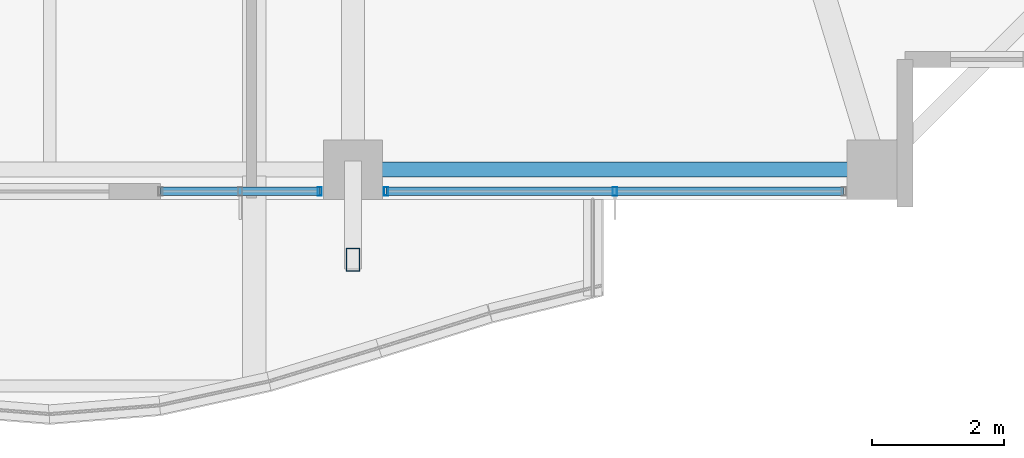
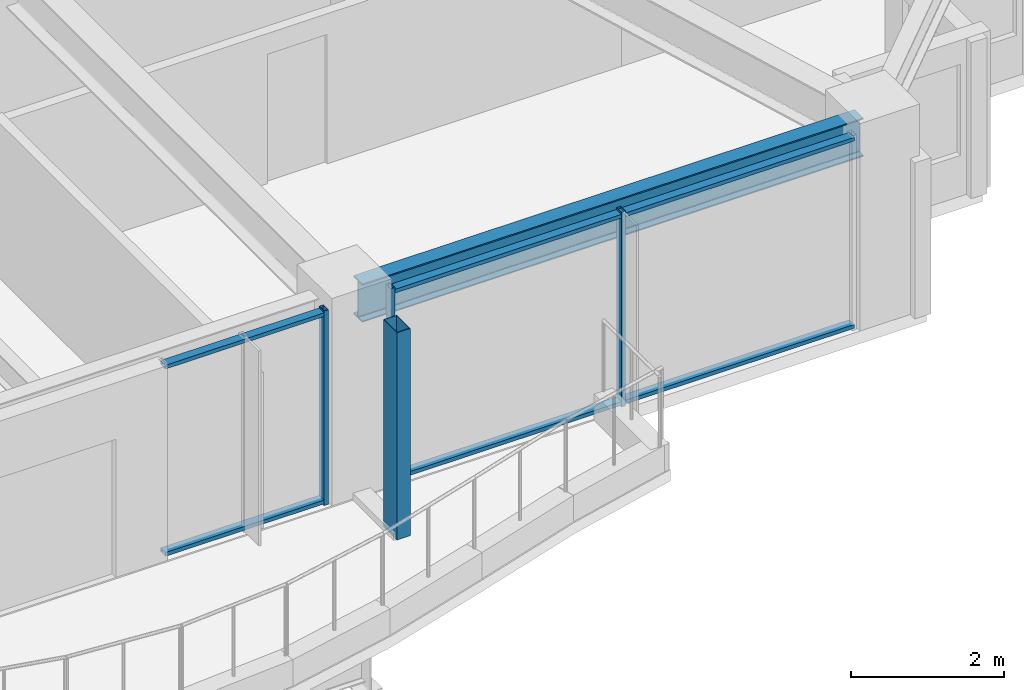
# One storey, part 6 of 34: 8 members, 1 beam, 2 elements without a shape of their own.
"""IFC4 building model written with IfcOpenShell, lengths in metres."""

from ifc_helpers import new_model, si_unit, direction, frame, origin, origin_2d, place, context, subcontext, project, spatial, hollow_rectangle, i_section, extrude, material, material_profile, profile_set, type_object, element, aggregate, save


model = new_model("IFC4")

# Units and contexts
model_context = context("Model", 3, precision=1e-05, world=origin(), true_north=direction((0.0, 1.0)))
body_context = subcontext(model_context, "Body", "Model", "MODEL_VIEW")
ifc_project = project(units=[si_unit("LENGTHUNIT", "METRE"), si_unit("AREAUNIT", "SQUARE_METRE"), si_unit("VOLUMEUNIT", "CUBIC_METRE"), si_unit("PLANEANGLEUNIT", "RADIAN"), si_unit("MASSUNIT", "GRAM", prefix="KILO")], contexts=[model_context])

# Site, building, storey
site_placement = place(None, origin())
site = spatial("IfcSite", under=ifc_project, at=site_placement, CompositionType="ELEMENT")
building_placement = place(site_placement, origin())
building = spatial("IfcBuilding", under=site, at=building_placement, Name="Kolvaren Belvedere", CompositionType="ELEMENT")
storey_placement = place(building_placement, frame((0.0, 0.0, 166.800048828125)))
storey = spatial("IfcBuildingStorey", under=building, at=storey_placement, Name="L48", CompositionType="ELEMENT", Elevation=166.800048828125)

# Beam
ifc_material_1 = material(Name="Structural steel ASTM A992 Grade 50", Category="steel")
ifc_material_profile_1 = material_profile(ifc_material_1, i_section(OverallWidth=0.22900390625, OverallDepth=0.612060546875, WebThickness=0.011962890625, FlangeThickness=0.01953125, FilletRadius=0.01806640625, at=origin_2d()), Name="W24X84")
ifc_profile_set_1 = profile_set([ifc_material_profile_1], Name="Structural steel ASTM A992 Grade 50")
beam_type = type_object("IfcBeamType", Name="BM-SPAN-W24X84", PredefinedType="SPANDREL", material=ifc_profile_set_1)
beam_placement = place(storey_placement, frame((4.802490234375, -18.64990234375, 2.7939453125), z_axis=(1.0, 0.0, 0.0), x_axis=(0.0, 1.0, 0.0)))
element("IfcBeam", 1, at=beam_placement, inside=storey, type_object=beam_type, Name="L48 Perimeter Spandrel S3-S4", PredefinedType="SPANDREL", context=body_context, shape_type="SweptSolid", body=[
    extrude(i_section(OverallWidth=0.22900390625, OverallDepth=0.612060546875, WebThickness=0.011962890625, FlangeThickness=0.01953125, FilletRadius=0.01806640625, at=origin_2d()), origin(), (0.0, 0.0, 1.0), 7.544921875),
])

# Curtain wall, members
ifc_material_2 = material(Name="Anodised pale-metal aluminium AA 6063-T6", Category="aluminium")
curtain_wall_type = type_object("IfcCurtainWallType", Name="CW-Z3-WAIST", PredefinedType="NOTDEFINED", material=ifc_material_2)
curtain_wall_1_placement = place(storey_placement, origin())
curtain_wall_1 = element("IfcCurtainWall", 2, at=curtain_wall_1_placement, inside=storey, type_object=curtain_wall_type, Name="L48 Unitised Curtain Wall FCW-L48-S1-B1", PredefinedType="NOTDEFINED")
ifc_material_3 = material(Name="Anodised pale-metal aluminium AA 6063-T6", Category="aluminium")
ifc_material_profile_2 = material_profile(ifc_material_3, hollow_rectangle(XDim=0.06494140625, YDim=0.1298828125, WallThickness=0.00390625, at=origin_2d()), Name="ALU-MUL-130X65")
ifc_profile_set_2 = profile_set([ifc_material_profile_2], Name="Anodised pale-metal aluminium AA 6063-T6")
member_type_1 = type_object("IfcMemberType", Name="CW-MUL-130", PredefinedType="MULLION", material=ifc_profile_set_2)
member_1_placement = place(storey_placement, frame((8.574951171875, -18.97998046875, 0.0), z_axis=(0.0, 0.0, 1.0), x_axis=(1.0, 0.0, 0.0)))
member_1 = element("IfcMember", 3, at=member_1_placement, type_object=member_type_1, Name="FCW-L48-S1-B1 Unitised Mullion 2", PredefinedType="MULLION", context=body_context, shape_type="SweptSolid", body=[
    extrude(hollow_rectangle(XDim=0.06494140625, YDim=0.1298828125, WallThickness=0.00390625, at=origin_2d()), origin(), (0.0, 0.0, 1.0), 3.099853515625),
])
member_2_placement = place(storey_placement, frame((5.1025390625, -18.97998046875, 0.0), z_axis=(0.0, 0.0, 1.0), x_axis=(1.0, 0.0, 0.0)))
member_2 = element("IfcMember", 4, at=member_2_placement, type_object=member_type_1, Name="FCW-L48-S1-B1 Unitised Mullion 3", PredefinedType="MULLION", context=body_context, shape_type="SweptSolid", body=[
    extrude(hollow_rectangle(XDim=0.06494140625, YDim=0.1298828125, WallThickness=0.00390625, at=origin_2d()), origin(), (0.0, 0.0, 1.0), 3.099853515625),
])

# Curtain wall, member
curtain_wall_2_placement = place(storey_placement, origin())
curtain_wall_2 = element("IfcCurtainWall", 5, at=curtain_wall_2_placement, inside=storey, type_object=curtain_wall_type, Name="L48 Unitised Curtain Wall FCW-L48-S1-B2", PredefinedType="NOTDEFINED")
member_3_placement = place(storey_placement, frame((4.097412109375, -18.97998046875, 0.0), z_axis=(0.0, 0.0, 1.0), x_axis=(1.0, 0.0, 0.0)))
member_3 = element("IfcMember", 6, at=member_3_placement, type_object=member_type_1, Name="FCW-L48-S1-B2 Unitised Mullion 1", PredefinedType="MULLION", context=body_context, shape_type="SweptSolid", body=[
    extrude(hollow_rectangle(XDim=0.06494140625, YDim=0.1298828125, WallThickness=0.00390625, at=origin_2d()), origin(), (0.0, 0.0, 1.0), 3.099853515625),
])

# Member
ifc_material_4 = material(Name="Anodised pale-metal aluminium AA 6063-T6", Category="aluminium")
ifc_material_profile_3 = material_profile(ifc_material_4, hollow_rectangle(XDim=0.06005859375, YDim=0.1298828125, WallThickness=0.00390625, at=origin_2d()), Name="ALU-TRN-130X60")
ifc_profile_set_3 = profile_set([ifc_material_profile_3], Name="Anodised pale-metal aluminium AA 6063-T6")
member_type_2 = type_object("IfcMemberType", Name="CW-TRN-130", PredefinedType="USERDEFINED", material=ifc_profile_set_3)
member_4_placement = place(storey_placement, frame((12.047607421875, -18.97998046875, 0.06005859375), z_axis=(-1.0, 0.0, 0.0), x_axis=(0.0, 0.0, 1.0)))
member_4 = element("IfcMember", 7, at=member_4_placement, type_object=member_type_2, Name="FCW-L48-S1-B1 Sill Transom", ObjectType="TRANSOM", PredefinedType="USERDEFINED", context=body_context, shape_type="SweptSolid", body=[
    extrude(hollow_rectangle(XDim=0.06005859375, YDim=0.1298828125, WallThickness=0.00390625, at=origin_2d()), origin(), (0.0, 0.0, 1.0), 6.945068359375),
])

member_5_placement = place(storey_placement, frame((12.047607421875, -18.97998046875, 3.0400390625), z_axis=(-1.0, 0.0, 0.0), x_axis=(0.0, 0.0, 1.0)))
member_5 = element("IfcMember", 8, at=member_5_placement, type_object=member_type_2, Name="FCW-L48-S1-B1 Head Transom", ObjectType="TRANSOM", PredefinedType="USERDEFINED", context=body_context, shape_type="SweptSolid", body=[
    extrude(hollow_rectangle(XDim=0.06005859375, YDim=0.1298828125, WallThickness=0.00390625, at=origin_2d()), origin(), (0.0, 0.0, 1.0), 6.945068359375),
])

aggregate(curtain_wall_1, [member_1, member_2, member_4, member_5])

member_6_placement = place(storey_placement, frame((4.097412109375, -18.97998046875, 0.06005859375), z_axis=(-1.0, 0.0, 0.0), x_axis=(0.0, 0.0, 1.0)))
member_6 = element("IfcMember", 9, at=member_6_placement, type_object=member_type_2, Name="FCW-L48-S1-B2 Sill Transom", ObjectType="TRANSOM", PredefinedType="USERDEFINED", context=body_context, shape_type="SweptSolid", body=[
    extrude(hollow_rectangle(XDim=0.06005859375, YDim=0.1298828125, WallThickness=0.00390625, at=origin_2d()), origin(), (0.0, 0.0, 1.0), 2.41748046875),
])

member_7_placement = place(storey_placement, frame((4.097412109375, -18.97998046875, 3.0400390625), z_axis=(-1.0, 0.0, 0.0), x_axis=(0.0, 0.0, 1.0)))
member_7 = element("IfcMember", 10, at=member_7_placement, type_object=member_type_2, Name="FCW-L48-S1-B2 Head Transom", ObjectType="TRANSOM", PredefinedType="USERDEFINED", context=body_context, shape_type="SweptSolid", body=[
    extrude(hollow_rectangle(XDim=0.06005859375, YDim=0.1298828125, WallThickness=0.00390625, at=origin_2d()), origin(), (0.0, 0.0, 1.0), 2.41748046875),
])

aggregate(curtain_wall_2, [member_3, member_6, member_7])

ifc_material_5 = material(Name="Anodised pale-metal aluminium AA 6063-T6", Category="aluminium")
ifc_material_profile_4 = material_profile(ifc_material_5, hollow_rectangle(XDim=0.199951171875, YDim=0.35009765625, WallThickness=0.007568359375, at=origin_2d()), Name="ALU-PF-350X200")
ifc_profile_set_4 = profile_set([ifc_material_profile_4], Name="Anodised pale-metal aluminium AA 6063-T6")
member_type_3 = type_object("IfcMemberType", Name="PF-FRAME-350", PredefinedType="USERDEFINED", material=ifc_profile_set_4)
member_8_placement = place(storey_placement, frame((4.60009765625, -20.02001953125, 0.0), z_axis=(0.0, 0.0, 1.0), x_axis=(1.0, 0.0, 0.0)))
element("IfcMember", 11, at=member_8_placement, inside=storey, type_object=member_type_3, Name="L48 Outboard Picture-Frame Vertical S1", ObjectType="PICTURE FRAME FIN", PredefinedType="USERDEFINED", context=body_context, shape_type="SweptSolid", body=[
    extrude(hollow_rectangle(XDim=0.199951171875, YDim=0.35009765625, WallThickness=0.007568359375, at=origin_2d()), origin(), (0.0, 0.0, 1.0), 3.300048828125),
])

save(model, "model.ifc")
